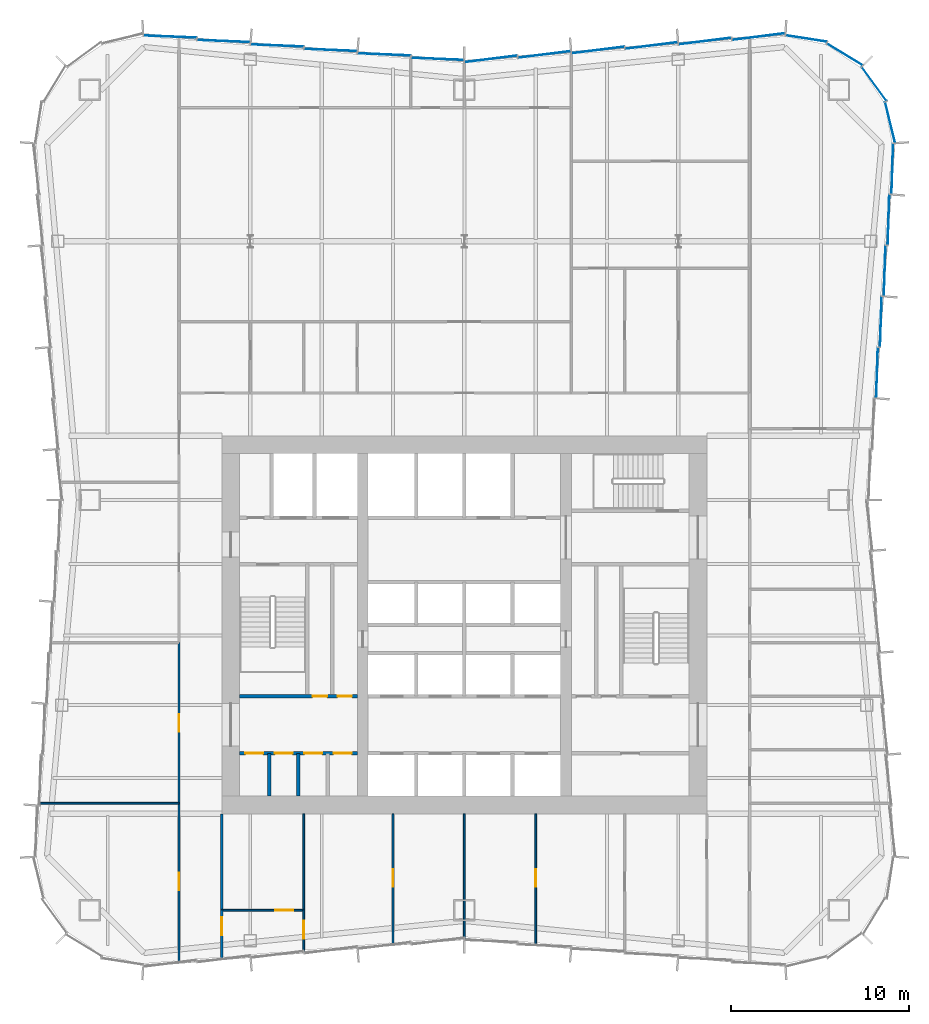
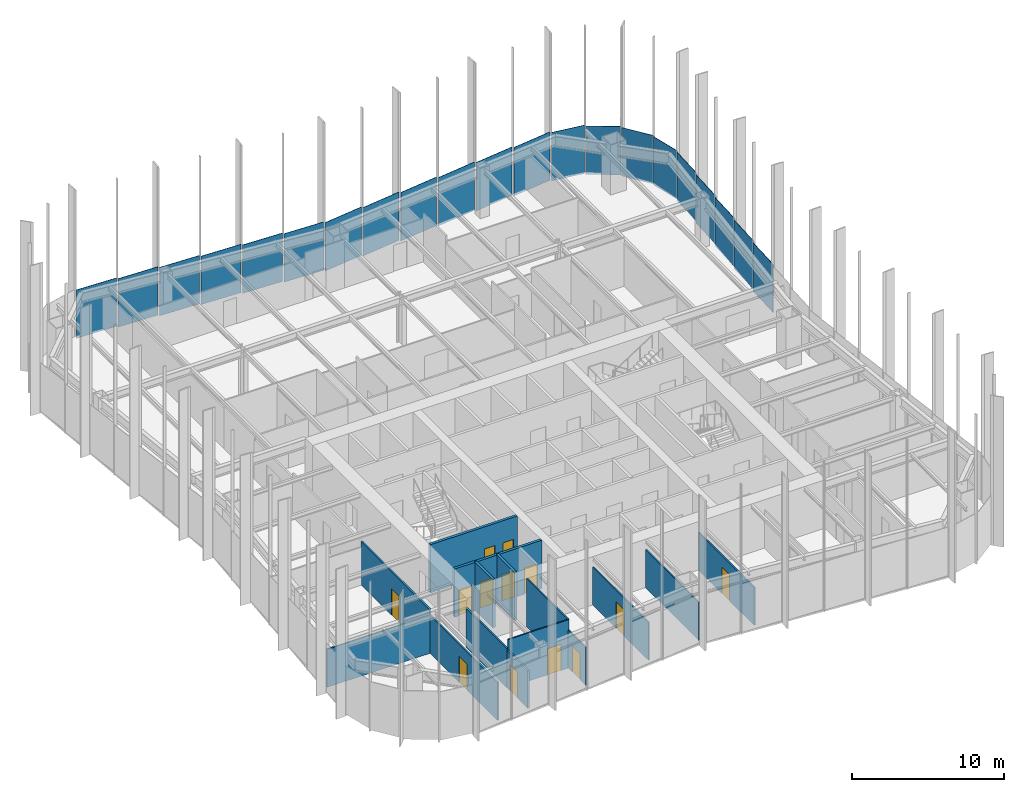
# One storey, part 9 of 14: 21 plates, 15 walls, 13 doors, 13 openings, 3 elements without a shape of their own.
"""IFC4 building model written with IfcOpenShell, lengths in metres."""

from ifc_helpers import new_model, si_unit, direction, frame, frame_2d, origin, origin_2d, place, context, subcontext, project, spatial, rectangle, extrude, material, layer, layer_set, type_object, element, fill, aggregate, save


model = new_model("IFC4")

# Units and contexts
model_context = context("Model", 3, precision=1e-05, world=origin(), true_north=direction((0.0, 1.0)))
body_context = subcontext(model_context, "Body", "Model", "MODEL_VIEW")
ifc_project = project(units=[si_unit("LENGTHUNIT", "METRE"), si_unit("AREAUNIT", "SQUARE_METRE"), si_unit("VOLUMEUNIT", "CUBIC_METRE"), si_unit("PLANEANGLEUNIT", "RADIAN"), si_unit("MASSUNIT", "GRAM", prefix="KILO")], contexts=[model_context])

# Site, building, storey
site_placement = place(None, origin())
site = spatial("IfcSite", under=ifc_project, at=site_placement, CompositionType="ELEMENT")
building_placement = place(site_placement, origin())
building = spatial("IfcBuilding", under=site, at=building_placement, Name="Verdant Reach Tower", CompositionType="ELEMENT")
storey_placement = place(building_placement, frame((0.0, 0.0, 150.0)))
storey = spatial("IfcBuildingStorey", under=building, at=storey_placement, Name="L34", CompositionType="ELEMENT", Elevation=150.0)

# Curtain wall, plates
ifc_material_1 = material(Name="Anodised aluminium", Category="aluminium")
curtain_wall_type = type_object("IfcCurtainWallType", Name="EN-CW SYSTEM Z2", PredefinedType="NOTDEFINED", material=ifc_material_1)
curtain_wall_1_placement = place(storey_placement, origin())
curtain_wall_1 = element("IfcCurtainWall", 1, at=curtain_wall_1_placement, inside=storey, type_object=curtain_wall_type, Name="Curtain wall east, L34", PredefinedType="NOTDEFINED")
ifc_material_2 = material(Name="Tinted glass with champagne spandrel", Category="glass")
ifc_layer_1 = layer(ifc_material_2, 0.031982421875)
ifc_layer_set_1 = layer_set([ifc_layer_1], Name="EN-PANEL CHAMPAGNE")
plate_type_1 = type_object("IfcPlateType", Name="EN-PANEL CHAMPAGNE", PredefinedType="CURTAIN_PANEL", material=ifc_layer_set_1)
plate_1_placement = place(storey_placement, frame((23.141357421875, 42.135009765625, -0.22607421875), z_axis=(0.0, 0.0, 1.0), x_axis=(0.032965971753, 0.999456474643, 0.0)))
plate_1 = element("IfcPlate", 2, at=plate_1_placement, type_object=plate_type_1, Name="Glass panel east face part 2 3.1, L34", PredefinedType="CURTAIN_PANEL", context=body_context, shape_type="SweptSolid", body=[
    extrude(rectangle(XDim=2.80517578125, YDim=0.031982421875, at=origin_2d()), origin(), (0.0, 0.0, 1.0), 3.8759765625),
])
plate_2_placement = place(storey_placement, frame((23.355712890625, 44.9921875, -0.22607421875), z_axis=(0.0, 0.0, 1.0), x_axis=(0.032965971753, 0.999456474643, 0.0)))
plate_2 = element("IfcPlate", 3, at=plate_2_placement, type_object=plate_type_1, Name="Glass panel east face part 2 4.1, L34", PredefinedType="CURTAIN_PANEL", context=body_context, shape_type="SweptSolid", body=[
    extrude(rectangle(XDim=2.80517578125, YDim=0.031982421875, at=origin_2d()), origin(), (0.0, 0.0, 1.0), 3.8759765625),
])

curtain_wall_2_placement = place(storey_placement, origin())
curtain_wall_2 = element("IfcCurtainWall", 4, at=curtain_wall_2_placement, inside=storey, type_object=curtain_wall_type, Name="Curtain wall north-east corner, L34", PredefinedType="NOTDEFINED")
plate_3_placement = place(storey_placement, frame((23.87353515625, 56.171630859375, -0.22607421875), z_axis=(0.0, 0.0, 1.0), x_axis=(-0.236416170006, 0.971651889598, 0.0)))
plate_3 = element("IfcPlate", 5, at=plate_3_placement, type_object=plate_type_1, Name="Glass panel north-east corner 1.1, L34", PredefinedType="CURTAIN_PANEL", context=body_context, shape_type="SweptSolid", body=[
    extrude(rectangle(XDim=2.316162109375, YDim=0.031982421875, at=origin_2d()), origin(), (0.0, 0.0, 1.0), 3.8759765625),
])
plate_4_placement = place(storey_placement, frame((22.9794921875, 58.3271484375, -0.22607421875), z_axis=(0.0, 0.0, 1.0), x_axis=(-0.589926757843, 0.807456760688, 0.0)))
plate_4 = element("IfcPlate", 6, at=plate_4_placement, type_object=plate_type_1, Name="Glass panel north-east corner 2.1, L34", PredefinedType="CURTAIN_PANEL", context=body_context, shape_type="SweptSolid", body=[
    extrude(rectangle(XDim=2.322509765625, YDim=0.031982421875, at=origin_2d()), origin(), (0.0, 0.0, 1.0), 3.8759765625),
])
plate_5_placement = place(storey_placement, frame((21.3271484375, 59.9794921875, -0.22607421875), z_axis=(0.0, 0.0, 1.0), x_axis=(-0.853988694998, 0.520291561353, 0.0)))
plate_5 = element("IfcPlate", 7, at=plate_5_placement, type_object=plate_type_1, Name="Glass panel north-east corner 3.1, L34", PredefinedType="CURTAIN_PANEL", context=body_context, shape_type="SweptSolid", body=[
    extrude(rectangle(XDim=2.322509765625, YDim=0.031982421875, at=origin_2d()), origin(), (0.0, 0.0, 1.0), 3.8759765625),
])

curtain_wall_3_placement = place(storey_placement, origin())
curtain_wall_3 = element("IfcCurtainWall", 8, at=curtain_wall_3_placement, inside=storey, type_object=curtain_wall_type, Name="Curtain wall north, L34", PredefinedType="NOTDEFINED")
plate_6_placement = place(storey_placement, frame((16.49853515625, 60.980712890625, -0.22607421875), z_axis=(0.0, 0.0, 1.0), x_axis=(-0.992236570309, -0.124364739946, 0.0)))
plate_6 = element("IfcPlate", 9, at=plate_6_placement, type_object=plate_type_1, Name="Glass panel north face part 1 1.1, L34", PredefinedType="CURTAIN_PANEL", context=body_context, shape_type="SweptSolid", body=[
    extrude(rectangle(XDim=2.965087890625, YDim=0.031982421875, at=origin_2d()), origin(), (0.0, 0.0, 1.0), 3.8759765625),
])
plate_7_placement = place(storey_placement, frame((-1.49560546875, 59.730712890625, -0.22607421875), z_axis=(0.0, 0.0, 1.0), x_axis=(-0.999144163765, 0.041363510662, 0.0)))
plate_7 = element("IfcPlate", 10, at=plate_7_placement, type_object=plate_type_1, Name="Glass panel north face part 2 1.1, L34", PredefinedType="CURTAIN_PANEL", context=body_context, shape_type="SweptSolid", body=[
    extrude(rectangle(XDim=2.941650390625, YDim=0.031982421875, at=origin_2d()), origin(), (0.0, 0.0, 1.0), 3.8759765625),
])
plate_8_placement = place(storey_placement, frame((-4.4912109375, 59.980712890625, -0.22607421875), z_axis=(0.0, 0.0, 1.0), x_axis=(-0.999149202059, 0.041241629766, 0.0)))
plate_8 = element("IfcPlate", 11, at=plate_8_placement, type_object=plate_type_1, Name="Glass panel north face part 2 2.1, L34", PredefinedType="CURTAIN_PANEL", context=body_context, shape_type="SweptSolid", body=[
    extrude(rectangle(XDim=2.950439453125, YDim=0.031982421875, at=origin_2d()), origin(), (0.0, 0.0, 1.0), 3.8759765625),
])

# Plate
ifc_material_3 = material(Name="Tinted glass with copper spandrel", Category="glass")
ifc_layer_2 = layer(ifc_material_3, 0.031982421875)
ifc_layer_set_2 = layer_set([ifc_layer_2], Name="EN-PANEL COPPER")
plate_type_2 = type_object("IfcPlateType", Name="EN-PANEL COPPER", PredefinedType="CURTAIN_PANEL", material=ifc_layer_set_2)
plate_9_placement = place(storey_placement, frame((23.570068359375, 47.84912109375, -0.22607421875), z_axis=(0.0, 0.0, 1.0), x_axis=(0.032965971753, 0.999456474643, 0.0)))
plate_9 = element("IfcPlate", 12, at=plate_9_placement, type_object=plate_type_2, Name="Glass panel east face part 2 5.1, L34", PredefinedType="CURTAIN_PANEL", context=body_context, shape_type="SweptSolid", body=[
    extrude(rectangle(XDim=2.80517578125, YDim=0.031982421875, at=origin_2d()), origin(), (0.0, 0.0, 1.0), 3.8759765625),
])

plate_10_placement = place(storey_placement, frame((23.7841796875, 50.706298828125, -0.22607421875), z_axis=(0.0, 0.0, 1.0), x_axis=(0.032965971753, 0.999456474643, 0.0)))
plate_10 = element("IfcPlate", 13, at=plate_10_placement, type_object=plate_type_2, Name="Glass panel east face part 2 6.1, L34", PredefinedType="CURTAIN_PANEL", context=body_context, shape_type="SweptSolid", body=[
    extrude(rectangle(XDim=2.80517578125, YDim=0.031982421875, at=origin_2d()), origin(), (0.0, 0.0, 1.0), 3.8759765625),
])

plate_11_placement = place(storey_placement, frame((23.99853515625, 53.57080078125, -0.22607421875), z_axis=(0.0, 0.0, 1.0), x_axis=(0.032628234484, 0.99946755741, 0.0)))
plate_11 = element("IfcPlate", 14, at=plate_11_placement, type_object=plate_type_2, Name="Glass panel east face part 2 7.1, L34", PredefinedType="CURTAIN_PANEL", context=body_context, shape_type="SweptSolid", body=[
    extrude(rectangle(XDim=2.819580078125, YDim=0.031982421875, at=origin_2d()), origin(), (0.0, 0.0, 1.0), 3.8759765625),
])

aggregate(curtain_wall_1, [plate_1, plate_2, plate_9, plate_10, plate_11])

plate_12_placement = place(storey_placement, frame((19.17138671875, 60.87353515625, -0.22607421875), z_axis=(0.0, 0.0, 1.0), x_axis=(-0.988030887576, 0.154256167447, 0.0)))
plate_12 = element("IfcPlate", 15, at=plate_12_placement, type_object=plate_type_2, Name="Glass panel north-east corner 4.1, L34", PredefinedType="CURTAIN_PANEL", context=body_context, shape_type="SweptSolid", body=[
    extrude(rectangle(XDim=2.31640625, YDim=0.031982421875, at=origin_2d()), origin(), (0.0, 0.0, 1.0), 3.8759765625),
])

aggregate(curtain_wall_2, [plate_3, plate_4, plate_5, plate_12])

plate_13_placement = place(storey_placement, frame((13.4912109375, 60.730712890625, -0.22607421875), z_axis=(0.0, 0.0, 1.0), x_axis=(-0.992194034542, -0.124703639961, 0.0)))
plate_13 = element("IfcPlate", 16, at=plate_13_placement, type_object=plate_type_2, Name="Glass panel north face part 1 2.1, L34", PredefinedType="CURTAIN_PANEL", context=body_context, shape_type="SweptSolid", body=[
    extrude(rectangle(XDim=2.950439453125, YDim=0.031982421875, at=origin_2d()), origin(), (0.0, 0.0, 1.0), 3.8759765625),
])

plate_14_placement = place(storey_placement, frame((10.4912109375, 60.480712890625, -0.22607421875), z_axis=(0.0, 0.0, 1.0), x_axis=(-0.992194034542, -0.124703639961, 0.0)))
plate_14 = element("IfcPlate", 17, at=plate_14_placement, type_object=plate_type_2, Name="Glass panel north face part 1 3.1, L34", PredefinedType="CURTAIN_PANEL", context=body_context, shape_type="SweptSolid", body=[
    extrude(rectangle(XDim=2.950439453125, YDim=0.031982421875, at=origin_2d()), origin(), (0.0, 0.0, 1.0), 3.8759765625),
])

plate_15_placement = place(storey_placement, frame((-7.4912109375, 60.230712890625, -0.22607421875), z_axis=(0.0, 0.0, 1.0), x_axis=(-0.999149202059, 0.041241629766, 0.0)))
plate_15 = element("IfcPlate", 18, at=plate_15_placement, type_object=plate_type_2, Name="Glass panel north face part 2 3.1, L34", PredefinedType="CURTAIN_PANEL", context=body_context, shape_type="SweptSolid", body=[
    extrude(rectangle(XDim=2.950439453125, YDim=0.031982421875, at=origin_2d()), origin(), (0.0, 0.0, 1.0), 3.8759765625),
])

plate_16_placement = place(storey_placement, frame((-10.4912109375, 60.480712890625, -0.22607421875), z_axis=(0.0, 0.0, 1.0), x_axis=(-0.999149202059, 0.041241629766, 0.0)))
plate_16 = element("IfcPlate", 19, at=plate_16_placement, type_object=plate_type_2, Name="Glass panel north face part 2 4.1, L34", PredefinedType="CURTAIN_PANEL", context=body_context, shape_type="SweptSolid", body=[
    extrude(rectangle(XDim=2.950439453125, YDim=0.031982421875, at=origin_2d()), origin(), (0.0, 0.0, 1.0), 3.8759765625),
])

plate_17_placement = place(storey_placement, frame((-13.4912109375, 60.730712890625, -0.22607421875), z_axis=(0.0, 0.0, 1.0), x_axis=(-0.999149202059, 0.041241629766, 0.0)))
plate_17 = element("IfcPlate", 20, at=plate_17_placement, type_object=plate_type_2, Name="Glass panel north face part 2 5.1, L34", PredefinedType="CURTAIN_PANEL", context=body_context, shape_type="SweptSolid", body=[
    extrude(rectangle(XDim=2.950439453125, YDim=0.031982421875, at=origin_2d()), origin(), (0.0, 0.0, 1.0), 3.8759765625),
])

ifc_material_4 = material(Name="Tinted glass with dark bronze spandrel", Category="glass")
ifc_layer_3 = layer(ifc_material_4, 0.031982421875)
ifc_layer_set_3 = layer_set([ifc_layer_3], Name="EN-PANEL DARK")
plate_type_3 = type_object("IfcPlateType", Name="EN-PANEL DARK", PredefinedType="CURTAIN_PANEL", material=ifc_layer_set_3)
plate_18_placement = place(storey_placement, frame((7.4912109375, 60.230712890625, -0.22607421875), z_axis=(0.0, 0.0, 1.0), x_axis=(-0.992194034542, -0.124703639961, 0.0)))
plate_18 = element("IfcPlate", 21, at=plate_18_placement, type_object=plate_type_3, Name="Glass panel north face part 1 4.1, L34", PredefinedType="CURTAIN_PANEL", context=body_context, shape_type="SweptSolid", body=[
    extrude(rectangle(XDim=2.950439453125, YDim=0.031982421875, at=origin_2d()), origin(), (0.0, 0.0, 1.0), 3.8759765625),
])

plate_19_placement = place(storey_placement, frame((4.4912109375, 59.980712890625, -0.22607421875), z_axis=(0.0, 0.0, 1.0), x_axis=(-0.992194034542, -0.124703639961, 0.0)))
plate_19 = element("IfcPlate", 22, at=plate_19_placement, type_object=plate_type_3, Name="Glass panel north face part 1 5.1, L34", PredefinedType="CURTAIN_PANEL", context=body_context, shape_type="SweptSolid", body=[
    extrude(rectangle(XDim=2.950439453125, YDim=0.031982421875, at=origin_2d()), origin(), (0.0, 0.0, 1.0), 3.8759765625),
])

plate_20_placement = place(storey_placement, frame((1.49560546875, 59.730712890625, -0.22607421875), z_axis=(0.0, 0.0, 1.0), x_axis=(-0.992178815188, -0.12482467181, 0.0)))
plate_20 = element("IfcPlate", 23, at=plate_20_placement, type_object=plate_type_3, Name="Glass panel north face part 1 6.1, L34", PredefinedType="CURTAIN_PANEL", context=body_context, shape_type="SweptSolid", body=[
    extrude(rectangle(XDim=2.941650390625, YDim=0.031982421875, at=origin_2d()), origin(), (0.0, 0.0, 1.0), 3.8759765625),
])

plate_21_placement = place(storey_placement, frame((-16.49853515625, 60.980712890625, -0.22607421875), z_axis=(0.0, 0.0, 1.0), x_axis=(-0.999163230224, 0.040900359019, 0.0)))
plate_21 = element("IfcPlate", 24, at=plate_21_placement, type_object=plate_type_3, Name="Glass panel north face part 2 6.1, L34", PredefinedType="CURTAIN_PANEL", context=body_context, shape_type="SweptSolid", body=[
    extrude(rectangle(XDim=2.965087890625, YDim=0.031982421875, at=origin_2d()), origin(), (0.0, 0.0, 1.0), 3.8759765625),
])

aggregate(curtain_wall_3, [plate_6, plate_13, plate_14, plate_18, plate_19, plate_20, plate_7, plate_8, plate_15, plate_16, plate_17, plate_21])

# Wall, openings, doors
ifc_material_5 = material(Name="Gypsum board on steel studs", Category="steel")
ifc_layer_4 = layer(ifc_material_5, 0.199951171875)
ifc_layer_set_4 = layer_set([ifc_layer_4], Name="CO-WALL-ROOM")
wall_type_1 = type_object("IfcWallType", Name="CO-WALL-ROOM", PredefinedType="PARTITIONING", material=ifc_layer_set_4)
wall_1_placement = place(storey_placement, frame((-12.60009765625, 20.800048828125, 0.0), z_axis=(0.0, 0.0, 1.0), x_axis=(1.0, 0.0, 0.0)))
wall_1 = element("IfcWall", 25, at=wall_1_placement, inside=storey, type_object=wall_type_1, Name="Core partition, L34", PredefinedType="PARTITIONING", context=body_context, shape_type="SweptSolid", body=[
    extrude(rectangle(XDim=6.60009765625, YDim=0.199951171875, at=frame_2d((3.300048828125, 0.0))), origin(), (0.0, 0.0, 1.0), 3.8701171875),
])
opening_1_placement = place(wall_1_placement, frame((0.324951171875, 0.0, 0.0)))
opening_1 = element("IfcOpeningElement", 26, at=opening_1_placement, cuts=wall_1, Name="Opening CD", PredefinedType="OPENING", context=body_context, shape_type="SweptSolid", body=[
    extrude(rectangle(XDim=1.0, YDim=2.10009765625, at=frame_2d((0.5, 1.050048828125))), frame((0.0, 0.10986328125, 0.0), z_axis=(0.0, -1.0, 0.0), x_axis=(1.0, 0.0, 0.0)), (0.0, 0.0, 1.0), 0.219970703125),
])
opening_2_placement = place(wall_1_placement, frame((1.97509765625, 0.0, 0.0)))
opening_2 = element("IfcOpeningElement", 27, at=opening_2_placement, cuts=wall_1, Name="Opening CD", PredefinedType="OPENING", context=body_context, shape_type="SweptSolid", body=[
    extrude(rectangle(XDim=1.0, YDim=2.10009765625, at=frame_2d((0.5, 1.050048828125))), frame((0.0, 0.10986328125, 0.0), z_axis=(0.0, -1.0, 0.0), x_axis=(1.0, 0.0, 0.0)), (0.0, 0.0, 1.0), 0.219970703125),
])
opening_3_placement = place(wall_1_placement, frame((3.625, 0.0, 0.0)))
opening_3 = element("IfcOpeningElement", 28, at=opening_3_placement, cuts=wall_1, Name="Opening CD", PredefinedType="OPENING", context=body_context, shape_type="SweptSolid", body=[
    extrude(rectangle(XDim=1.0, YDim=2.10009765625, at=frame_2d((0.5, 1.050048828125))), frame((0.0, 0.10986328125, 0.0), z_axis=(0.0, -1.0, 0.0), x_axis=(1.0, 0.0, 0.0)), (0.0, 0.0, 1.0), 0.219970703125),
])
opening_4_placement = place(wall_1_placement, frame((5.27490234375, 0.0, 0.0)))
opening_4 = element("IfcOpeningElement", 29, at=opening_4_placement, cuts=wall_1, Name="Opening CD", PredefinedType="OPENING", context=body_context, shape_type="SweptSolid", body=[
    extrude(rectangle(XDim=1.0, YDim=2.10009765625, at=frame_2d((0.5, 1.050048828125))), frame((0.0, 0.10986328125, 0.0), z_axis=(0.0, -1.0, 0.0), x_axis=(1.0, 0.0, 0.0)), (0.0, 0.0, 1.0), 0.219970703125),
])
ifc_material_6 = material(Name="Timber", Category="wood")
door_type_1 = type_object("IfcDoorType", Name="CO-DOOR-ROOM", OperationType="NOTDEFINED", PredefinedType="DOOR", material=ifc_material_6)
door_1_placement = place(opening_1_placement, origin())
door_1 = element("IfcDoor", 30, at=door_1_placement, inside=storey, type_object=door_type_1, Name="Core room door, L34", OperationType="SINGLE_SWING_RIGHT", OverallHeight=2.10009765625, OverallWidth=1.0, PredefinedType="DOOR", context=body_context, shape_type="SweptSolid", body=[
    extrude(rectangle(XDim=1.0, YDim=2.10009765625, at=frame_2d((0.5, 1.050048828125))), frame((0.0, 0.02490234375, 0.0), z_axis=(0.0, -1.0, 0.0), x_axis=(1.0, 0.0, 0.0)), (0.0, 0.0, 1.0), 0.050048828125),
])
fill(opening_1, door_1)
door_2_placement = place(opening_2_placement, origin())
door_2 = element("IfcDoor", 31, at=door_2_placement, inside=storey, type_object=door_type_1, Name="Core room door, L34", OperationType="SINGLE_SWING_RIGHT", OverallHeight=2.10009765625, OverallWidth=1.0, PredefinedType="DOOR", context=body_context, shape_type="SweptSolid", body=[
    extrude(rectangle(XDim=1.0, YDim=2.10009765625, at=frame_2d((0.5, 1.050048828125))), frame((0.0, 0.02490234375, 0.0), z_axis=(0.0, -1.0, 0.0), x_axis=(1.0, 0.0, 0.0)), (0.0, 0.0, 1.0), 0.050048828125),
])
fill(opening_2, door_2)
door_3_placement = place(opening_3_placement, origin())
door_3 = element("IfcDoor", 32, at=door_3_placement, inside=storey, type_object=door_type_1, Name="Core room door, L34", OperationType="SINGLE_SWING_LEFT", OverallHeight=2.10009765625, OverallWidth=1.0, PredefinedType="DOOR", context=body_context, shape_type="SweptSolid", body=[
    extrude(rectangle(XDim=1.0, YDim=2.10009765625, at=frame_2d((0.5, 1.050048828125))), frame((0.0, 0.02490234375, 0.0), z_axis=(0.0, -1.0, 0.0), x_axis=(1.0, 0.0, 0.0)), (0.0, 0.0, 1.0), 0.050048828125),
])
fill(opening_3, door_3)
door_4_placement = place(opening_4_placement, origin())
door_4 = element("IfcDoor", 33, at=door_4_placement, inside=storey, type_object=door_type_1, Name="Core room door, L34", OperationType="SINGLE_SWING_LEFT", OverallHeight=2.10009765625, OverallWidth=1.0, PredefinedType="DOOR", context=body_context, shape_type="SweptSolid", body=[
    extrude(rectangle(XDim=1.0, YDim=2.10009765625, at=frame_2d((0.5, 1.050048828125))), frame((0.0, 0.02490234375, 0.0), z_axis=(0.0, -1.0, 0.0), x_axis=(1.0, 0.0, 0.0)), (0.0, 0.0, 1.0), 0.050048828125),
])
fill(opening_4, door_4)

# Walls
for number, where, z_axis, x_axis, name in (
    (34, (-10.949951171875, 18.39990234375, 0.0), (0.0, 0.0, 1.0), (0.0, 1.0, 0.0), "Core partition, L34"),
    (35, (-9.300048828125, 18.39990234375, 0.0), (0.0, 0.0, 1.0), (0.0, 1.0, 0.0), "Core partition, L34"),
):
    element("IfcWall", number, at=place(storey_placement, frame(where, z_axis=z_axis, x_axis=x_axis)), inside=storey, type_object=wall_type_1, Name=name, PredefinedType="PARTITIONING", context=body_context, shape_type="SweptSolid", body=[
        extrude(rectangle(XDim=2.400146484375, YDim=0.199951171875, at=frame_2d((1.2001953125, 0.0))), origin(), (0.0, 0.0, 1.0), 3.8701171875),
    ])

# Wall, openings, doors
ifc_material_7 = material(Name="Concrete C40/50", Category="concrete")
ifc_layer_5 = layer(ifc_material_7, 0.199951171875)
ifc_layer_set_5 = layer_set([ifc_layer_5], Name="CO-WALL-STAIR")
wall_type_2 = type_object("IfcWallType", Name="CO-WALL-STAIR", PredefinedType="PARTITIONING", material=ifc_layer_set_5)
wall_2_placement = place(storey_placement, frame((-12.60009765625, 24.0, 0.0), z_axis=(0.0, 0.0, 1.0), x_axis=(1.0, 0.0, 0.0)))
wall_2 = element("IfcWall", 36, at=wall_2_placement, inside=storey, type_object=wall_type_2, Name="Stair enclosure wall, L34", PredefinedType="PARTITIONING", context=body_context, shape_type="SweptSolid", body=[
    extrude(rectangle(XDim=6.60009765625, YDim=0.199951171875, at=frame_2d((3.300048828125, 0.0))), origin(), (0.0, 0.0, 1.0), 3.8701171875),
])
opening_5_placement = place(wall_2_placement, frame((4.10009765625, 0.0, 0.0)))
opening_5 = element("IfcOpeningElement", 37, at=opening_5_placement, cuts=wall_2, Name="Opening CDN", PredefinedType="OPENING", context=body_context, shape_type="SweptSolid", body=[
    extrude(rectangle(XDim=0.800048828125, YDim=2.10009765625, at=frame_2d((0.39990234375, 1.050048828125))), frame((0.0, 0.10986328125, 0.0), z_axis=(0.0, -1.0, 0.0), x_axis=(1.0, 0.0, 0.0)), (0.0, 0.0, 1.0), 0.219970703125),
])
opening_6_placement = place(wall_2_placement, frame((5.5, 0.0, 0.0)))
opening_6 = element("IfcOpeningElement", 38, at=opening_6_placement, cuts=wall_2, Name="Opening CDN", PredefinedType="OPENING", context=body_context, shape_type="SweptSolid", body=[
    extrude(rectangle(XDim=0.800048828125, YDim=2.10009765625, at=frame_2d((0.39990234375, 1.050048828125))), frame((0.0, 0.10986328125, 0.0), z_axis=(0.0, -1.0, 0.0), x_axis=(1.0, 0.0, 0.0)), (0.0, 0.0, 1.0), 0.219970703125),
])
door_type_2 = type_object("IfcDoorType", Name="CO-DOOR-ROOM-NARROW", OperationType="NOTDEFINED", PredefinedType="DOOR", material=ifc_material_6)
door_5_placement = place(opening_5_placement, origin())
door_5 = element("IfcDoor", 39, at=door_5_placement, inside=storey, type_object=door_type_2, Name="Core room door, L34", OperationType="SINGLE_SWING_RIGHT", OverallHeight=2.10009765625, OverallWidth=0.800048828125, PredefinedType="DOOR", context=body_context, shape_type="SweptSolid", body=[
    extrude(rectangle(XDim=0.800048828125, YDim=2.10009765625, at=frame_2d((0.39990234375, 1.050048828125))), frame((0.0, 0.02490234375, 0.0), z_axis=(0.0, -1.0, 0.0), x_axis=(1.0, 0.0, 0.0)), (0.0, 0.0, 1.0), 0.050048828125),
])
fill(opening_5, door_5)
door_6_placement = place(opening_6_placement, origin())
door_6 = element("IfcDoor", 40, at=door_6_placement, inside=storey, type_object=door_type_2, Name="Core room door, L34", OperationType="SINGLE_SWING_LEFT", OverallHeight=2.10009765625, OverallWidth=0.800048828125, PredefinedType="DOOR", context=body_context, shape_type="SweptSolid", body=[
    extrude(rectangle(XDim=0.800048828125, YDim=2.10009765625, at=frame_2d((0.39990234375, 1.050048828125))), frame((0.0, 0.02490234375, 0.0), z_axis=(0.0, -1.0, 0.0), x_axis=(1.0, 0.0, 0.0)), (0.0, 0.0, 1.0), 0.050048828125),
])
fill(opening_6, door_6)

# Wall
ifc_layer_6 = layer(ifc_material_5, 0.10009765625)
ifc_layer_set_6 = layer_set([ifc_layer_6], Name="FL-W1 Partition 100")
wall_type_3 = type_object("IfcWallType", Name="FL-W1 Partition 100", PredefinedType="PARTITIONING", material=ifc_layer_set_6)
wall_3_placement = place(storey_placement, frame((-16.0, 18.0, 0.0), z_axis=(0.0, 0.0, 1.0), x_axis=(-1.0, 0.0, 0.0)))
element("IfcWall", 41, at=wall_3_placement, inside=storey, type_object=wall_type_3, Name="Partition 34.22", PredefinedType="PARTITIONING", context=body_context, shape_type="SweptSolid", body=[
    extrude(rectangle(XDim=7.85498046875, YDim=0.10009765625, at=frame_2d((3.927490234375, 0.0))), origin(), (0.0, 0.0, 1.0), 3.0400390625),
])

# Wall, opening, door
wall_4_placement = place(storey_placement, frame((-13.60009765625, 12.0, 0.0), z_axis=(0.0, 0.0, 1.0), x_axis=(1.0, 0.0, 0.0)))
wall_4 = element("IfcWall", 42, at=wall_4_placement, inside=storey, type_object=wall_type_3, Name="Partition 34.37", PredefinedType="PARTITIONING", context=body_context, shape_type="SweptSolid", body=[
    extrude(rectangle(XDim=4.60009765625, YDim=0.10009765625, at=frame_2d((2.300048828125, 0.0))), origin(), (0.0, 0.0, 1.0), 3.8701171875),
])
opening_7_placement = place(wall_4_placement, frame((3.0, 0.0, 0.0)))
opening_7 = element("IfcOpeningElement", 43, at=opening_7_placement, cuts=wall_4, Name="Opening D3", PredefinedType="OPENING", context=body_context, shape_type="SweptSolid", body=[
    extrude(rectangle(XDim=1.0, YDim=2.10009765625, at=frame_2d((0.5, 1.050048828125))), frame((0.0, 0.06005859375, 0.0), z_axis=(0.0, -1.0, 0.0), x_axis=(1.0, 0.0, 0.0)), (0.0, 0.0, 1.0), 0.1201171875),
])
ifc_material_8 = material(Name="Painted timber door leaf", Category="wood")
door_type_3 = type_object("IfcDoorType", Name="FL-D3 Door 1000x2100", OperationType="NOTDEFINED", PredefinedType="DOOR", material=ifc_material_8)
door_7_placement = place(opening_7_placement, origin())
door_7 = element("IfcDoor", 44, at=door_7_placement, inside=storey, type_object=door_type_3, Name="Door 34-017", OperationType="SINGLE_SWING_RIGHT", OverallHeight=2.10009765625, OverallWidth=1.0, PredefinedType="DOOR", context=body_context, shape_type="SweptSolid", body=[
    extrude(rectangle(XDim=1.0, YDim=2.10009765625, at=frame_2d((0.5, 1.050048828125))), frame((0.0, 0.02490234375, 0.0), z_axis=(0.0, -1.0, 0.0), x_axis=(1.0, 0.0, 0.0)), (0.0, 0.0, 1.0), 0.050048828125),
])
fill(opening_7, door_7)

wall_5_placement = place(storey_placement, frame((-9.0, 12.00390625, 0.0), z_axis=(0.0, 0.0, 1.0), x_axis=(0.0, -1.0, 0.0)))
wall_5 = element("IfcWall", 45, at=wall_5_placement, inside=storey, type_object=wall_type_3, Name="Partition 34.38", PredefinedType="PARTITIONING", context=body_context, shape_type="SweptSolid", body=[
    extrude(rectangle(XDim=2.333984375, YDim=0.10009765625, at=frame_2d((1.1669921875, 0.0))), origin(), (0.0, 0.0, 1.0), 3.0400390625),
])
opening_8_placement = place(wall_5_placement, frame((0.601806640625, 0.0, 0.0)))
opening_8 = element("IfcOpeningElement", 46, at=opening_8_placement, cuts=wall_5, Name="Opening D3", PredefinedType="OPENING", context=body_context, shape_type="SweptSolid", body=[
    extrude(rectangle(XDim=1.0, YDim=2.10009765625, at=frame_2d((0.5, 1.050048828125))), frame((0.0, 0.06005859375, 0.0), z_axis=(0.0, -1.0, 0.0), x_axis=(1.0, 0.0, 0.0)), (0.0, 0.0, 1.0), 0.1201171875),
])
door_8_placement = place(opening_8_placement, origin())
door_8 = element("IfcDoor", 47, at=door_8_placement, inside=storey, type_object=door_type_3, Name="Door 34-018", OperationType="SINGLE_SWING_LEFT", OverallHeight=2.10009765625, OverallWidth=1.0, PredefinedType="DOOR", context=body_context, shape_type="SweptSolid", body=[
    extrude(rectangle(XDim=1.0, YDim=2.10009765625, at=frame_2d((0.5, 1.050048828125))), frame((0.0, 0.02490234375, 0.0), z_axis=(0.0, -1.0, 0.0), x_axis=(1.0, 0.0, 0.0)), (0.0, 0.0, 1.0), 0.050048828125),
])
fill(opening_8, door_8)

# Wall
wall_6_placement = place(storey_placement, frame((-9.0, 11.99609375, 0.0), z_axis=(0.0, 0.0, 1.0), x_axis=(0.0, 1.0, 0.0)))
element("IfcWall", 48, at=wall_6_placement, inside=storey, type_object=wall_type_3, Name="Partition 34.39", PredefinedType="PARTITIONING", context=body_context, shape_type="SweptSolid", body=[
    extrude(rectangle(XDim=5.40380859375, YDim=0.10009765625, at=frame_2d((2.701904296875, 0.0))), origin(), (0.0, 0.0, 1.0), 3.8701171875),
])

# Wall, opening, door
wall_7_placement = place(storey_placement, frame((-4.0, 17.39990234375, 0.0), z_axis=(0.0, 0.0, 1.0), x_axis=(0.0, -1.0, 0.0)))
wall_7 = element("IfcWall", 49, at=wall_7_placement, inside=storey, type_object=wall_type_3, Name="Partition 34.40", PredefinedType="PARTITIONING", context=body_context, shape_type="SweptSolid", body=[
    extrude(rectangle(XDim=7.313232421875, YDim=0.10009765625, at=frame_2d((3.65673828125, 0.0))), origin(), (0.0, 0.0, 1.0), 3.0400390625),
])
opening_9_placement = place(wall_7_placement, frame((3.091552734375, 0.0, 0.0)))
opening_9 = element("IfcOpeningElement", 50, at=opening_9_placement, cuts=wall_7, Name="Opening D3", PredefinedType="OPENING", context=body_context, shape_type="SweptSolid", body=[
    extrude(rectangle(XDim=1.0, YDim=2.10009765625, at=frame_2d((0.5, 1.050048828125))), frame((0.0, 0.06005859375, 0.0), z_axis=(0.0, -1.0, 0.0), x_axis=(1.0, 0.0, 0.0)), (0.0, 0.0, 1.0), 0.1201171875),
])
door_9_placement = place(opening_9_placement, origin())
door_9 = element("IfcDoor", 51, at=door_9_placement, inside=storey, type_object=door_type_3, Name="Door 34-019", OperationType="SINGLE_SWING_LEFT", OverallHeight=2.10009765625, OverallWidth=1.0, PredefinedType="DOOR", context=body_context, shape_type="SweptSolid", body=[
    extrude(rectangle(XDim=1.0, YDim=2.10009765625, at=frame_2d((0.5, 1.050048828125))), frame((0.0, 0.02490234375, 0.0), z_axis=(0.0, -1.0, 0.0), x_axis=(1.0, 0.0, 0.0)), (0.0, 0.0, 1.0), 0.050048828125),
])
fill(opening_9, door_9)

# Wall
wall_8_placement = place(storey_placement, frame((0.0, 10.419921875, 0.0), z_axis=(0.0, 0.0, 1.0), x_axis=(0.0, 1.0, 0.0)))
element("IfcWall", 52, at=wall_8_placement, inside=storey, type_object=wall_type_3, Name="Partition 34.41", PredefinedType="PARTITIONING", context=body_context, shape_type="SweptSolid", body=[
    extrude(rectangle(XDim=6.97998046875, YDim=0.10009765625, at=frame_2d((3.489990234375, 0.0))), origin(), (0.0, 0.0, 1.0), 3.0400390625),
])

# Wall, opening, door
wall_9_placement = place(storey_placement, frame((4.0, 10.086669921875, 0.0), z_axis=(0.0, 0.0, 1.0), x_axis=(0.0, 1.0, 0.0)))
wall_9 = element("IfcWall", 53, at=wall_9_placement, inside=storey, type_object=wall_type_3, Name="Partition 34.43", PredefinedType="PARTITIONING", context=body_context, shape_type="SweptSolid", body=[
    extrude(rectangle(XDim=7.313232421875, YDim=0.10009765625, at=frame_2d((3.65673828125, 0.0))), origin(), (0.0, 0.0, 1.0), 3.0400390625),
])
opening_10_placement = place(wall_9_placement, frame((3.2216796875, 0.0, 0.0)))
opening_10 = element("IfcOpeningElement", 54, at=opening_10_placement, cuts=wall_9, Name="Opening D3", PredefinedType="OPENING", context=body_context, shape_type="SweptSolid", body=[
    extrude(rectangle(XDim=1.0, YDim=2.10009765625, at=frame_2d((0.5, 1.050048828125))), frame((0.0, 0.06005859375, 0.0), z_axis=(0.0, -1.0, 0.0), x_axis=(1.0, 0.0, 0.0)), (0.0, 0.0, 1.0), 0.1201171875),
])
door_10_placement = place(opening_10_placement, origin())
door_10 = element("IfcDoor", 55, at=door_10_placement, inside=storey, type_object=door_type_3, Name="Door 34-021", OperationType="SINGLE_SWING_RIGHT", OverallHeight=2.10009765625, OverallWidth=1.0, PredefinedType="DOOR", context=body_context, shape_type="SweptSolid", body=[
    extrude(rectangle(XDim=1.0, YDim=2.10009765625, at=frame_2d((0.5, 1.050048828125))), frame((0.0, 0.02490234375, 0.0), z_axis=(0.0, -1.0, 0.0), x_axis=(1.0, 0.0, 0.0)), (0.0, 0.0, 1.0), 0.050048828125),
])
fill(opening_10, door_10)

ifc_material_9 = material(Name="Gypsum board on steel studs, fire rated", Category="steel")
ifc_layer_7 = layer(ifc_material_9, 0.125)
ifc_layer_set_7 = layer_set([ifc_layer_7], Name="FL-W2 Corridor wall 125")
wall_type_4 = type_object("IfcWallType", Name="FL-W2 Corridor wall 125", PredefinedType="PARTITIONING", material=ifc_layer_set_7)
wall_10_placement = place(storey_placement, frame((-16.0, 18.0, 0.0), z_axis=(0.0, 0.0, 1.0), x_axis=(0.0, -1.0, 0.0)))
wall_10 = element("IfcWall", 56, at=wall_10_placement, inside=storey, type_object=wall_type_4, Name="Partition 34.01", PredefinedType="PARTITIONING", context=body_context, shape_type="SweptSolid", body=[
    extrude(rectangle(XDim=8.913330078125, YDim=0.125, at=frame_2d((4.45654296875, 0.0))), origin(), (0.0, 0.0, 1.0), 3.0400390625),
])
opening_11_placement = place(wall_10_placement, frame((3.8916015625, 0.0, 0.0)))
opening_11 = element("IfcOpeningElement", 57, at=opening_11_placement, cuts=wall_10, Name="Opening D2", PredefinedType="OPENING", context=body_context, shape_type="SweptSolid", body=[
    extrude(rectangle(XDim=1.0, YDim=2.10009765625, at=frame_2d((0.5, 1.050048828125))), frame((0.0, 0.072509765625, 0.0), z_axis=(0.0, -1.0, 0.0), x_axis=(1.0, 0.0, 0.0)), (0.0, 0.0, 1.0), 0.14501953125),
])
ifc_material_10 = material(Name="Timber door leaf, fire rated", Category="wood")
door_type_4 = type_object("IfcDoorType", Name="FL-D2 Entrance door 1000x2100 FD30", OperationType="NOTDEFINED", PredefinedType="DOOR", material=ifc_material_10)
door_11_placement = place(opening_11_placement, origin())
door_11 = element("IfcDoor", 58, at=door_11_placement, inside=storey, type_object=door_type_4, Name="Door 34-001", OperationType="SINGLE_SWING_LEFT", OverallHeight=2.10009765625, OverallWidth=1.0, PredefinedType="DOOR", context=body_context, shape_type="SweptSolid", body=[
    extrude(rectangle(XDim=1.0, YDim=2.10009765625, at=frame_2d((0.5, 1.050048828125))), frame((0.0, 0.02490234375, 0.0), z_axis=(0.0, -1.0, 0.0), x_axis=(1.0, 0.0, 0.0)), (0.0, 0.0, 1.0), 0.050048828125),
])
fill(opening_11, door_11)

wall_11_placement = place(storey_placement, frame((-16.0, 18.0, 0.0), z_axis=(0.0, 0.0, 1.0), x_axis=(0.0, 1.0, 0.0)))
wall_11 = element("IfcWall", 59, at=wall_11_placement, inside=storey, type_object=wall_type_4, Name="Partition 34.02", PredefinedType="PARTITIONING", context=body_context, shape_type="SweptSolid", body=[
    extrude(rectangle(XDim=9.0, YDim=0.125, at=frame_2d((4.5, 0.0))), origin(), (0.0, 0.0, 1.0), 3.47998046875),
])
opening_12_placement = place(wall_11_placement, frame((4.0, 0.0, 0.0)))
opening_12 = element("IfcOpeningElement", 60, at=opening_12_placement, cuts=wall_11, Name="Opening D2", PredefinedType="OPENING", context=body_context, shape_type="SweptSolid", body=[
    extrude(rectangle(XDim=1.0, YDim=2.10009765625, at=frame_2d((0.5, 1.050048828125))), frame((0.0, 0.072509765625, 0.0), z_axis=(0.0, -1.0, 0.0), x_axis=(1.0, 0.0, 0.0)), (0.0, 0.0, 1.0), 0.14501953125),
])
door_12_placement = place(opening_12_placement, origin())
door_12 = element("IfcDoor", 61, at=door_12_placement, inside=storey, type_object=door_type_4, Name="Door 34-002", OperationType="SINGLE_SWING_RIGHT", OverallHeight=2.10009765625, OverallWidth=1.0, PredefinedType="DOOR", context=body_context, shape_type="SweptSolid", body=[
    extrude(rectangle(XDim=1.0, YDim=2.10009765625, at=frame_2d((0.5, 1.050048828125))), frame((0.0, 0.02490234375, 0.0), z_axis=(0.0, -1.0, 0.0), x_axis=(1.0, 0.0, 0.0)), (0.0, 0.0, 1.0), 0.050048828125),
])
fill(opening_12, door_12)

wall_12_placement = place(storey_placement, frame((-13.60009765625, 12.0, 0.0), z_axis=(0.0, 0.0, 1.0), x_axis=(0.0, -1.0, 0.0)))
wall_12 = element("IfcWall", 62, at=wall_12_placement, inside=storey, type_object=wall_type_4, Name="Partition 34.12", PredefinedType="PARTITIONING", context=body_context, shape_type="SweptSolid", body=[
    extrude(rectangle(XDim=2.71337890625, YDim=0.125, at=frame_2d((1.356689453125, 0.0))), origin(), (0.0, 0.0, 1.0), 3.0400390625),
])
opening_13_placement = place(wall_12_placement, frame((0.3916015625, 0.0, 0.0)))
opening_13 = element("IfcOpeningElement", 63, at=opening_13_placement, cuts=wall_12, Name="Opening D2", PredefinedType="OPENING", context=body_context, shape_type="SweptSolid", body=[
    extrude(rectangle(XDim=1.0, YDim=2.10009765625, at=frame_2d((0.5, 1.050048828125))), frame((0.0, 0.072509765625, 0.0), z_axis=(0.0, -1.0, 0.0), x_axis=(1.0, 0.0, 0.0)), (0.0, 0.0, 1.0), 0.14501953125),
])
door_13_placement = place(opening_13_placement, origin())
door_13 = element("IfcDoor", 64, at=door_13_placement, inside=storey, type_object=door_type_4, Name="Door 34-011", OperationType="SINGLE_SWING_LEFT", OverallHeight=2.10009765625, OverallWidth=1.0, PredefinedType="DOOR", context=body_context, shape_type="SweptSolid", body=[
    extrude(rectangle(XDim=1.0, YDim=2.10009765625, at=frame_2d((0.5, 1.050048828125))), frame((0.0, 0.02490234375, 0.0), z_axis=(0.0, -1.0, 0.0), x_axis=(1.0, 0.0, 0.0)), (0.0, 0.0, 1.0), 0.050048828125),
])
fill(opening_13, door_13)

# Wall
wall_13_placement = place(storey_placement, frame((-13.60009765625, 12.0, 0.0), z_axis=(0.0, 0.0, 1.0), x_axis=(0.0, 1.0, 0.0)))
element("IfcWall", 65, at=wall_13_placement, inside=storey, type_object=wall_type_4, Name="Partition 34.13", PredefinedType="PARTITIONING", context=body_context, shape_type="SweptSolid", body=[
    extrude(rectangle(XDim=5.39990234375, YDim=0.125, at=frame_2d((2.699951171875, 0.0))), origin(), (0.0, 0.0, 1.0), 3.139892578125),
])

save(model, "model.ifc")
